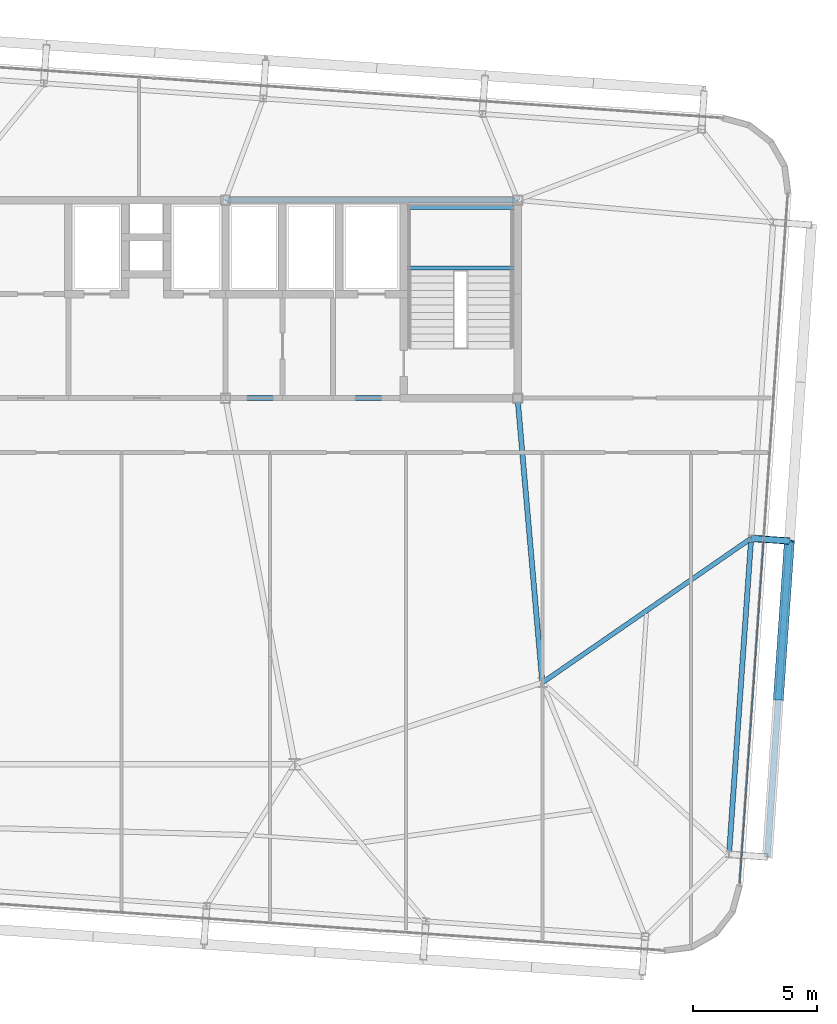
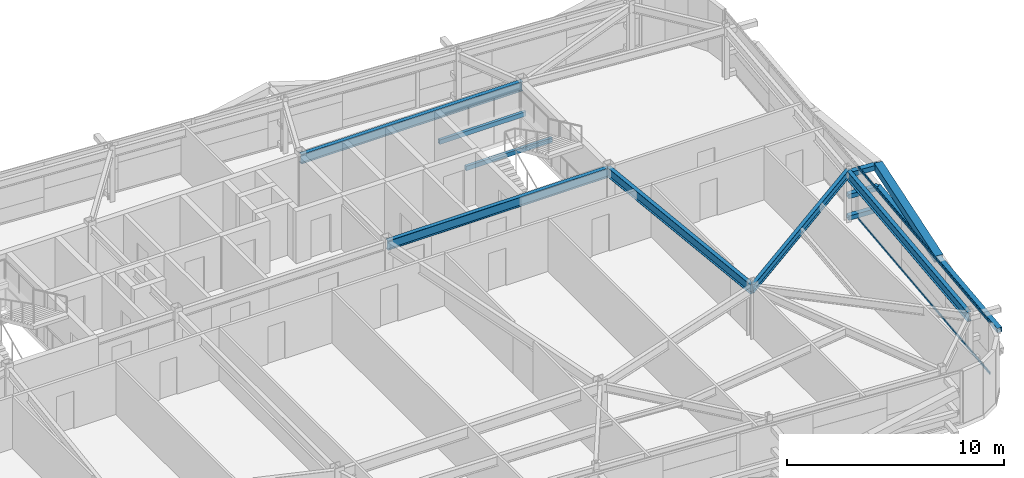
# One storey, part 16 of 39: 7 beams, 7 members, 1 element without a shape of its own.
"""IFC4 building model written with IfcOpenShell, lengths in metres."""

from ifc_helpers import new_model, si_unit, direction, frame, origin, origin_2d, place, context, subcontext, project, spatial, hollow_rectangle, i_section, extrude, source, transform, mapped, material, layer, layer_set, material_profile, profile_set, type_object, element, aggregate, save


model = new_model("IFC4")

# Units and contexts
model_context = context("Model", 3, precision=1e-05, world=origin(), true_north=direction((0.0, 1.0)))
body_context = subcontext(model_context, "Body", "Model", "MODEL_VIEW")
ifc_project = project(units=[si_unit("LENGTHUNIT", "METRE"), si_unit("AREAUNIT", "SQUARE_METRE"), si_unit("VOLUMEUNIT", "CUBIC_METRE"), si_unit("PLANEANGLEUNIT", "RADIAN"), si_unit("MASSUNIT", "GRAM", prefix="KILO")], contexts=[model_context])

# Site, building, storey
site_placement = place(None, origin())
site = spatial("IfcSite", under=ifc_project, at=site_placement, CompositionType="ELEMENT")
building_placement = place(site_placement, origin())
building = spatial("IfcBuilding", under=site, at=building_placement, Name="Taldren Reach Tower", CompositionType="ELEMENT")
storey_placement = place(building_placement, frame((0.0, 0.0, 120.39990234375)))
storey = spatial("IfcBuildingStorey", under=building, at=storey_placement, Name="L36", CompositionType="ELEMENT", Elevation=120.39990234375)

# Beams
ifc_material_1 = material(Name="Steel Gr 350 (350PLUS)", Category="steel")
ifc_material_profile_1 = material_profile(ifc_material_1, i_section(OverallWidth=0.208984375, OverallDepth=0.532958984375, WebThickness=0.01025390625, FlangeThickness=0.015625, at=origin_2d()), Name="530UB92.4")
ifc_profile_set_1 = profile_set([ifc_material_profile_1], Name="Steel Gr 350 (350PLUS)")
beam_type_1 = type_object("IfcBeamType", Name="BM-UB530A", PredefinedType="BEAM", material=ifc_profile_set_1)
shared_shape_1 = source(origin(), body_context, "Body", "SweptSolid", [
    extrude(i_section(OverallWidth=0.208984375, OverallDepth=0.532958984375, WebThickness=0.01025390625, FlangeThickness=0.015625, at=origin_2d()), origin(), (0.0, 0.0, 1.0), 11.800048828125),
])
for number, where, z_axis, x_axis, name in (
    (1, (39.199951171875, 24.0, 2.66357421875), (1.0, 0.0, 0.0), (0.0, 1.0, 0.0), "Core-spine girder L36-SP03"),
    (2, (39.199951171875, 32.0, 2.66357421875), (1.0, 0.0, 0.0), (0.0, 1.0, 0.0), "Core-spine girder L36-SP06"),
):
    element("IfcBeam", number, at=place(storey_placement, frame(where, z_axis=z_axis, x_axis=x_axis)), inside=storey, type_object=beam_type_1, Name=name, PredefinedType="BEAM", context=body_context, shape_type="MappedRepresentation", body=[
        mapped(shared_shape_1, transform((0.0, 0.0, 0.0), scale=1.0)),
    ])
shared_shape_2 = source(origin(), body_context, "Body", "SweptSolid", [
    extrude(i_section(OverallWidth=0.208984375, OverallDepth=0.532958984375, WebThickness=0.01025390625, FlangeThickness=0.015625, at=origin_2d()), origin(), (0.0, 0.0, 1.0), 11.54345703125),
])
beam_1_placement = place(storey_placement, frame((52.0, 12.5, 2.66357421875), z_axis=(-0.086629616365, 0.996240588196, 0.0), x_axis=(-0.996240588196, -0.086629616365, 0.0)))
element("IfcBeam", 3, at=beam_1_placement, inside=storey, type_object=beam_type_1, Name="Core-spine girder L36-SP13", PredefinedType="BEAM", context=body_context, shape_type="MappedRepresentation", body=[
    mapped(shared_shape_2, transform((0.0, 0.0, 0.0), scale=1.0)),
])

# Members
ifc_material_2 = material(Name="Steel Gr 450 (C450L0)", Category="steel")
ifc_material_profile_2 = material_profile(ifc_material_2, hollow_rectangle(XDim=0.27490234375, YDim=0.27490234375, WallThickness=0.00927734375, at=origin_2d()), Name="275x275x9.3SHS")
ifc_profile_set_2 = profile_set([ifc_material_profile_2], Name="Steel Gr 450 (C450L0)")
member_type_1 = type_object("IfcMemberType", Name="MB-TIE273", PredefinedType="STRUT", material=ifc_profile_set_2)
shared_shape_3 = source(origin(), body_context, "Body", "SweptSolid", [
    extrude(hollow_rectangle(XDim=0.27490234375, YDim=0.27490234375, WallThickness=0.00927734375, at=origin_2d()), origin(), (0.0, 0.0, 1.0), 1.5498046875),
])
member_1_placement = place(storey_placement, frame((60.438232421875, 18.331787109375, 2.650146484375), z_axis=(0.997562367434, -0.069780535098, 0.0), x_axis=(0.069780535098, 0.997562367434, 0.0)))
element("IfcMember", 4, at=member_1_placement, inside=storey, type_object=member_type_1, Name="Exoskeleton diaphragm tie strut B3-E2 L36", PredefinedType="STRUT", context=body_context, shape_type="MappedRepresentation", body=[
    mapped(shared_shape_3, transform((0.0, 0.0, 0.0), scale=1.0)),
])
ifc_material_3 = material(Name="Steel Gr 350 (C350L0)", Category="steel")
ifc_material_profile_3 = material_profile(ifc_material_3, hollow_rectangle(XDim=0.25, YDim=0.25, WallThickness=0.010009765625, at=origin_2d()), Name="250x250x10.0SHS")
ifc_profile_set_3 = profile_set([ifc_material_profile_3], Name="Steel Gr 350 (C350L0)")
member_type_2 = type_object("IfcMemberType", Name="MB-POST250", PredefinedType="POST", material=ifc_profile_set_3)
shared_shape_4 = source(origin(), body_context, "Body", "SweptSolid", [
    extrude(hollow_rectangle(XDim=0.25, YDim=0.25, WallThickness=0.010009765625, at=origin_2d()), origin(), (0.0, 0.0, 1.0), 1.5498046875),
])
for number, where, z_axis, x_axis, name in (
    (5, (60.438232421875, 18.331787109375, 0.22021484375), (0.997562367434, -0.069780535098, 0.0), (0.069780535098, 0.997562367434, 0.0), "Exoskeleton base diaphragm tie strut B3-E2 L36"),
    (6, (60.438232421875, 18.331787109375, 1.43505859375), (0.997562367434, -0.069780535098, 0.0), (0.069780535098, 0.997562367434, 0.0), "Exoskeleton mid-tier diaphragm tie B3-E2 L36"),
):
    element("IfcMember", number, at=place(storey_placement, frame(where, z_axis=z_axis, x_axis=x_axis)), inside=storey, type_object=member_type_2, Name=name, PredefinedType="POST", context=body_context, shape_type="MappedRepresentation", body=[
        mapped(shared_shape_4, transform((0.0, 0.0, 0.0), scale=1.0)),
    ])

# Beams
ifc_material_profile_4 = material_profile(ifc_material_1, i_section(OverallWidth=0.208984375, OverallDepth=0.528076171875, WebThickness=0.009521484375, FlangeThickness=0.01318359375, at=origin_2d()), Name="530UB82.0")
ifc_profile_set_4 = profile_set([ifc_material_profile_4], Name="Steel Gr 350 (350PLUS)")
beam_type_2 = type_object("IfcBeamType", Name="SP-UB530B", PredefinedType="SPANDREL", material=ifc_profile_set_4)
shared_shape_5 = source(origin(), body_context, "Body", "SweptSolid", [
    extrude(i_section(OverallWidth=0.208984375, OverallDepth=0.528076171875, WebThickness=0.009521484375, FlangeThickness=0.01318359375, at=origin_2d()), origin(), (0.0, 0.0, 1.0), 12.80029296875),
])
beam_2_placement = place(storey_placement, frame((59.54541015625, 5.562744140625, 2.666015625), z_axis=(0.069750549628, 0.997564464497, 0.0), x_axis=(-0.997564464497, 0.069750549628, 0.0)))
element("IfcBeam", 7, at=beam_2_placement, inside=storey, type_object=beam_type_2, Name="Perimeter spandrel B3 E1-E2 L36", PredefinedType="SPANDREL", context=body_context, shape_type="MappedRepresentation", body=[
    mapped(shared_shape_5, transform((0.0, 0.0, 0.0), scale=1.0)),
])
ifc_material_profile_5 = material_profile(ifc_material_1, i_section(OverallWidth=0.19091796875, OverallDepth=0.4599609375, WebThickness=0.010009765625, FlangeThickness=0.01611328125, at=origin_2d()), Name="460UB82.1")
ifc_profile_set_5 = profile_set([ifc_material_profile_5], Name="Steel Gr 350 (350PLUS)")
beam_type_3 = type_object("IfcBeamType", Name="BM-UB460A", PredefinedType="BEAM", material=ifc_profile_set_5)
shared_shape_6 = source(origin(), body_context, "Body", "SweptSolid", [
    extrude(i_section(OverallWidth=0.19091796875, OverallDepth=0.4599609375, WebThickness=0.010009765625, FlangeThickness=0.01611328125, at=origin_2d()), origin(), (0.0, 0.0, 1.0), 10.25732421875),
])
beam_3_placement = place(storey_placement, frame((52.0, 12.5, 2.7001953125), z_axis=(0.822651197727, 0.568546398175, 0.0), x_axis=(-0.568546398175, 0.822651197727, 0.0)))
element("IfcBeam", 8, at=beam_3_placement, inside=storey, type_object=beam_type_3, Name="Primary floor girder B3-E2 L36", PredefinedType="BEAM", context=body_context, shape_type="MappedRepresentation", body=[
    mapped(shared_shape_6, transform((0.0, 0.0, 0.0), scale=1.0)),
])

# Members
shared_shape_7 = source(origin(), body_context, "Body", "SweptSolid", [
    extrude(hollow_rectangle(XDim=0.25, YDim=0.25, WallThickness=0.010009765625, at=origin_2d()), origin(), (0.0, 0.0, 1.0), 12.800048828125),
])
member_2_placement = place(storey_placement, frame((61.091552734375, 5.454833984375, 1.43505859375), z_axis=(0.069751876777, 0.9975643717, 0.0), x_axis=(-0.9975643717, 0.069751876777, 0.0)))
element("IfcMember", 9, at=member_2_placement, inside=storey, type_object=member_type_2, Name="Exoskeleton mid-height ring chord B3-E1 L36", PredefinedType="POST", context=body_context, shape_type="MappedRepresentation", body=[
    mapped(shared_shape_7, transform((0.0, 0.0, 0.0), scale=1.0)),
])
ifc_material_profile_6 = material_profile(ifc_material_2, hollow_rectangle(XDim=0.409912109375, YDim=0.409912109375, WallThickness=0.01611328125, at=origin_2d()), Name="410x410x16.0SHS")
ifc_profile_set_6 = profile_set([ifc_material_profile_6], Name="Steel Gr 450 (C450L0)")
member_type_3 = type_object("IfcMemberType", Name="MB-EXO406", PredefinedType="BRACE", material=ifc_profile_set_6)
shared_shape_8 = source(origin(), body_context, "Body", "SweptSolid", [
    extrude(hollow_rectangle(XDim=0.409912109375, YDim=0.409912109375, WallThickness=0.01611328125, at=origin_2d()), origin(), (0.0, 0.0, 1.0), 6.514404296875),
])
member_3_placement = place(storey_placement, frame((61.5380859375, 11.839111328125, 1.43505859375), z_axis=(0.068507825937, 0.980059166346, 0.186522674885), x_axis=(-0.997565791441, 0.069731569223, 0.0)))
element("IfcMember", 10, at=member_3_placement, inside=storey, type_object=member_type_3, Name="Exoskeleton Diagrid Brace B3-E1 L36", PredefinedType="BRACE", context=body_context, shape_type="MappedRepresentation", body=[
    mapped(shared_shape_8, transform((0.0, 0.0, 0.0), scale=1.0)),
])

# Curtain wall, members
ifc_material_4 = material(Name="Aluminium and Low-E Glass Unitised System", Category="aluminium")
ifc_layer = layer(ifc_material_4, 0.159912109375)
ifc_layer_set = layer_set([ifc_layer], Name="Aluminium and Low-E Glass Unitised System")
curtain_wall_type = type_object("IfcCurtainWallType", Name="CW-SYS-4", PredefinedType="NOTDEFINED", material=ifc_layer_set)
curtain_wall_placement = place(storey_placement, origin())
curtain_wall = element("IfcCurtainWall", 11, at=curtain_wall_placement, inside=storey, type_object=curtain_wall_type, Name="Unitised curtain wall CW-L36-E", PredefinedType="NOTDEFINED")
ifc_material_5 = material(Name="Anodised Aluminium 6063-T6", Category="aluminium")
ifc_material_profile_7 = material_profile(ifc_material_5, hollow_rectangle(XDim=0.054931640625, YDim=0.1201171875, WallThickness=0.0029296875, at=origin_2d()), Name="ALU-120x55x3RHS")
ifc_profile_set_7 = profile_set([ifc_material_profile_7], Name="Anodised Aluminium 6063-T6")
member_type_4 = type_object("IfcMemberType", Name="CW-TRN-135", PredefinedType="USERDEFINED", material=ifc_profile_set_7)
shared_shape_9 = source(origin(), body_context, "Body", "SweptSolid", [
    extrude(hollow_rectangle(XDim=0.054931640625, YDim=0.1201171875, WallThickness=0.0029296875, at=origin_2d()), origin(), (0.0, 0.0, 1.0), 13.89501953125),
])
member_4_placement = place(storey_placement, frame((59.975341796875, 4.400146484375, 0.027587890625), z_axis=(0.069754817075, 0.997564166104, 0.0), x_axis=(-0.997564166104, 0.069754817075, 0.0)))
member_4 = element("IfcMember", 12, at=member_4_placement, type_object=member_type_4, Name="CW-4 transom 1.1", ObjectType="TRANSOM", PredefinedType="USERDEFINED", context=body_context, shape_type="MappedRepresentation", body=[
    mapped(shared_shape_9, transform((0.0, 0.0, 0.0), scale=1.0)),
])
member_5_placement = place(storey_placement, frame((59.975341796875, 4.400146484375, 2.902587890625), z_axis=(0.069754817075, 0.997564166104, 0.0), x_axis=(-0.997564166104, 0.069754817075, 0.0)))
member_5 = element("IfcMember", 13, at=member_5_placement, type_object=member_type_4, Name="CW-4 transom 1.2", ObjectType="TRANSOM", PredefinedType="USERDEFINED", context=body_context, shape_type="MappedRepresentation", body=[
    mapped(shared_shape_9, transform((0.0, 0.0, 0.0), scale=1.0)),
])
aggregate(curtain_wall, [member_4, member_5])

# Beams
ifc_material_profile_8 = material_profile(ifc_material_3, hollow_rectangle(XDim=0.14990234375, YDim=0.25, WallThickness=0.009033203125, at=origin_2d()), Name="250x150x9.0RHS")
ifc_profile_set_8 = profile_set([ifc_material_profile_8], Name="Steel Gr 350 (C350L0)")
beam_type_4 = type_object("IfcBeamType", Name="LN-RHS250", PredefinedType="LINTEL", material=ifc_profile_set_8)
shared_shape_10 = source(origin(), body_context, "Body", "SweptSolid", [
    extrude(hollow_rectangle(XDim=0.14990234375, YDim=0.25, WallThickness=0.009033203125, at=origin_2d()), origin(), (0.0, 0.0, 1.0), 4.60009765625),
])
for number, where, z_axis, x_axis, name in (
    (14, (46.39990234375, 29.2548828125, 1.27001953125), (1.0, 0.0, 0.0), (0.0, 1.0, 0.0), "Stair half-landing support beam ST2-L36-1"),
    (15, (46.39990234375, 31.699951171875, 1.27001953125), (1.0, 0.0, 0.0), (0.0, 1.0, 0.0), "Stair half-landing support beam ST2-L36-2"),
):
    element("IfcBeam", number, at=place(storey_placement, frame(where, z_axis=z_axis, x_axis=x_axis)), inside=storey, type_object=beam_type_4, Name=name, PredefinedType="LINTEL", context=body_context, shape_type="MappedRepresentation", body=[
        mapped(shared_shape_10, transform((0.0, 0.0, 0.0), scale=1.0)),
    ])

save(model, "model.ifc")
